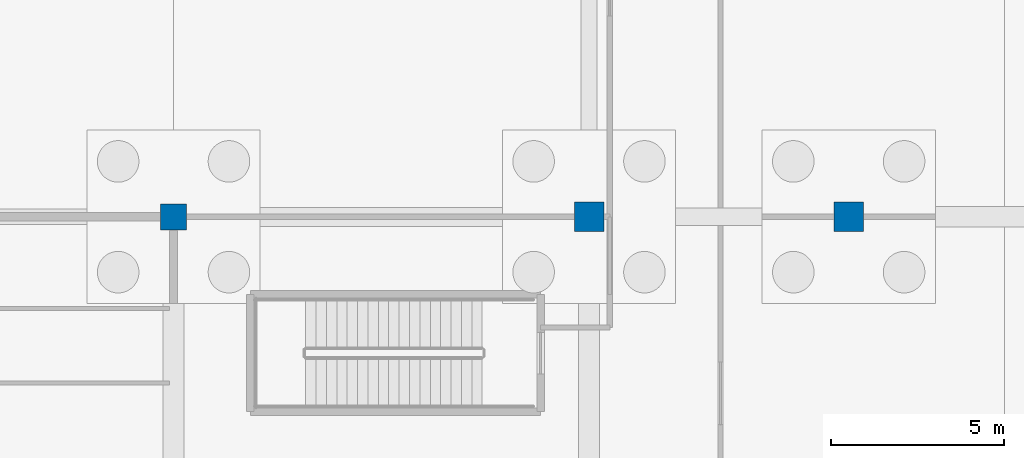
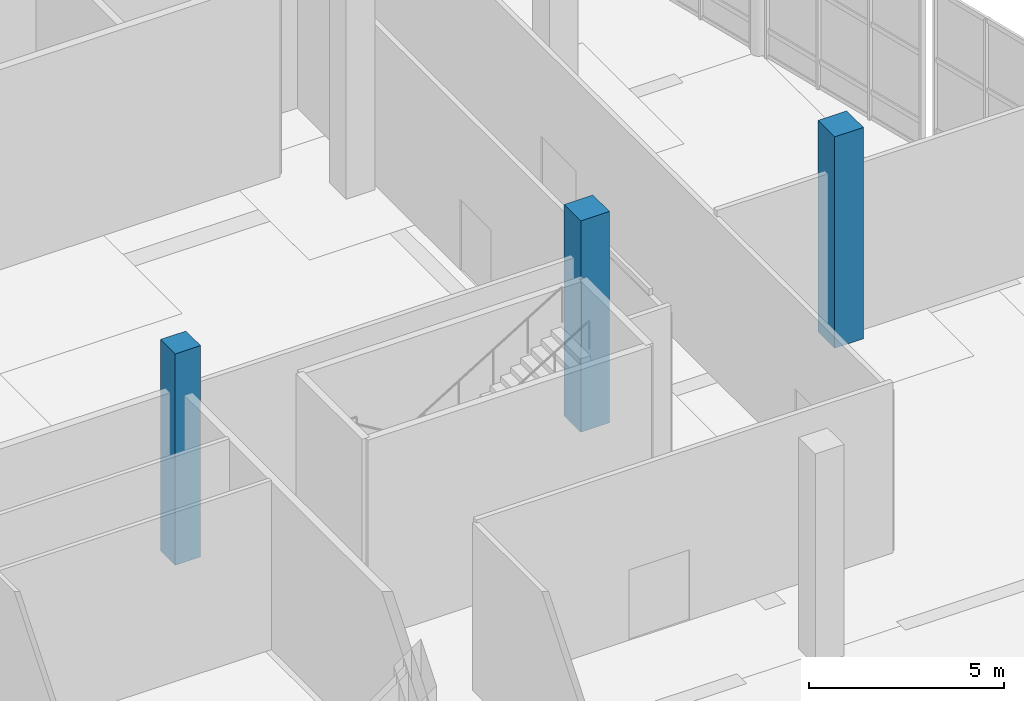
# One storey, part 32 of 117: 3 columns.
"""IFC4 building model written with IfcOpenShell, lengths in metres."""

from ifc_helpers import new_model, si_unit, direction, frame, origin, origin_2d, place, context, subcontext, project, spatial, rectangle, extrude, material, material_profile, profile_set, type_object, element, save


model = new_model("IFC4")

# Units and contexts
model_context = context("Model", 3, precision=1e-05, world=origin(), true_north=direction((0.0, 1.0)))
body_context = subcontext(model_context, "Body", "Model", "MODEL_VIEW")
ifc_project = project(units=[si_unit("LENGTHUNIT", "METRE"), si_unit("AREAUNIT", "SQUARE_METRE"), si_unit("VOLUMEUNIT", "CUBIC_METRE"), si_unit("PLANEANGLEUNIT", "RADIAN"), si_unit("MASSUNIT", "GRAM", prefix="KILO")], contexts=[model_context])

# Site, building, storey
site_placement = place(None, origin())
site = spatial("IfcSite", under=ifc_project, at=site_placement, CompositionType="ELEMENT")
building_placement = place(site_placement, origin())
building = spatial("IfcBuilding", under=site, at=building_placement, Name="Kamomehara Wholesale Market", CompositionType="ELEMENT")
storey_placement = place(building_placement, origin())
storey = spatial("IfcBuildingStorey", under=building, at=storey_placement, Name="L00", CompositionType="ELEMENT", Elevation=0.0)

# Columns
ifc_material_1 = material(Name="Precast concrete Fc45 (C40/50)", Category="concrete")
ifc_material_profile_1 = material_profile(ifc_material_1, rectangle(XDim=0.75, YDim=0.75, at=origin_2d()), Name="PC-COL-750x750")
ifc_profile_set_1 = profile_set([ifc_material_profile_1], Name="Precast concrete Fc45 (C40/50)")
column_type_1 = type_object("IfcColumnType", Name="COL-PC750-EXT", PredefinedType="COLUMN", material=ifc_profile_set_1)
column_placement = place(storey_placement, frame((168.0, 60.0, 0.0), z_axis=(0.0, 0.0, 1.0), x_axis=(1.0, 0.0, 0.0)))
element("IfcColumn", 1, at=column_placement, inside=storey, type_object=column_type_1, Name="Column C-04E L00", PredefinedType="COLUMN", context=body_context, shape_type="SweptSolid", body=[
    extrude(rectangle(XDim=0.75, YDim=0.75, at=origin_2d()), origin(), (0.0, 0.0, 1.0), 6.60009765625),
])
ifc_material_2 = material(Name="Precast concrete Fc45 (C40/50)", Category="concrete")
ifc_material_profile_2 = material_profile(ifc_material_2, rectangle(XDim=0.85009765625, YDim=0.85009765625, at=origin_2d()), Name="PC-COL-850x850")
ifc_profile_set_2 = profile_set([ifc_material_profile_2], Name="Precast concrete Fc45 (C40/50)")
column_type_2 = type_object("IfcColumnType", Name="COL-PC850-EXT", PredefinedType="COLUMN", material=ifc_profile_set_2)
for number, where, z_axis, x_axis, name in (
    (2, (180.0, 60.0, 0.0), (0.0, 0.0, 1.0), (1.0, 0.0, 0.0), "Column C-02E L00"),
    (3, (187.5, 60.0, 0.0), (0.0, 0.0, 1.0), (1.0, 0.0, 0.0), "Column C-02E L00"),
):
    element("IfcColumn", number, at=place(storey_placement, frame(where, z_axis=z_axis, x_axis=x_axis)), inside=storey, type_object=column_type_2, Name=name, PredefinedType="COLUMN", context=body_context, shape_type="SweptSolid", body=[
        extrude(rectangle(XDim=0.85009765625, YDim=0.85009765625, at=origin_2d()), origin(), (0.0, 0.0, 1.0), 6.60009765625),
    ])

save(model, "model.ifc")
